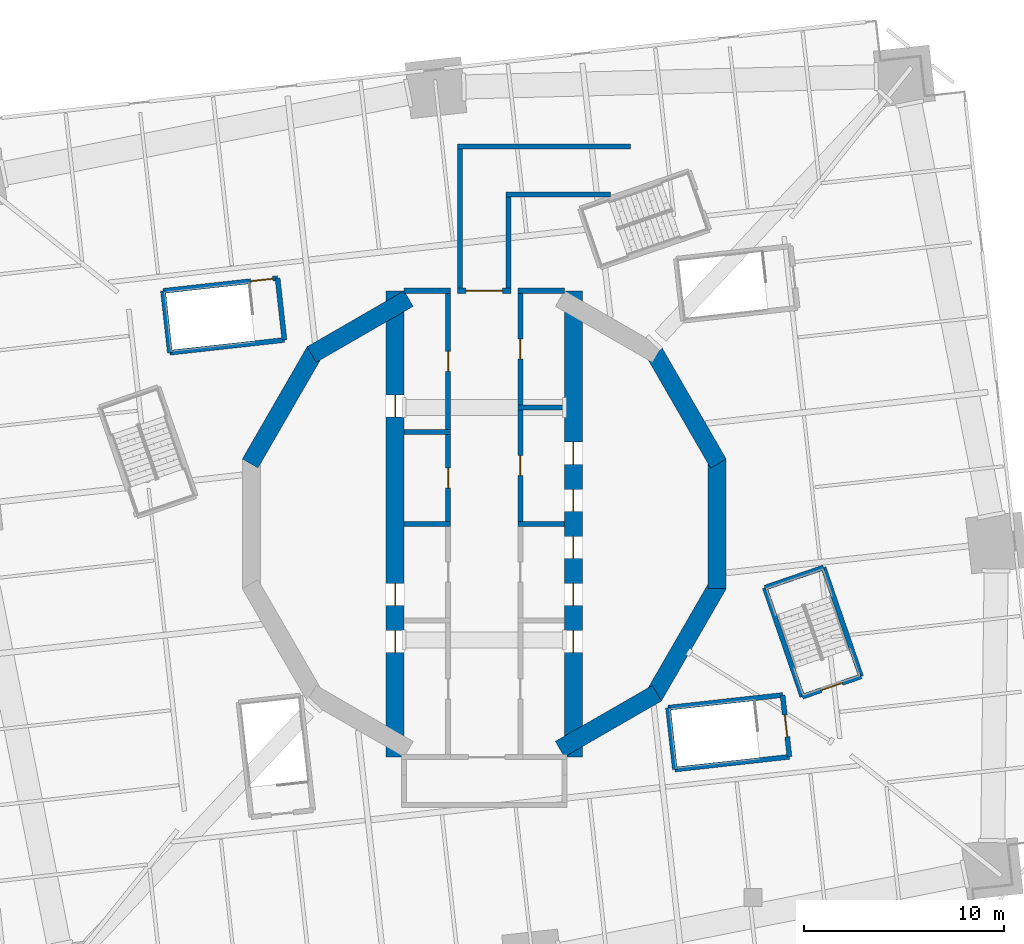
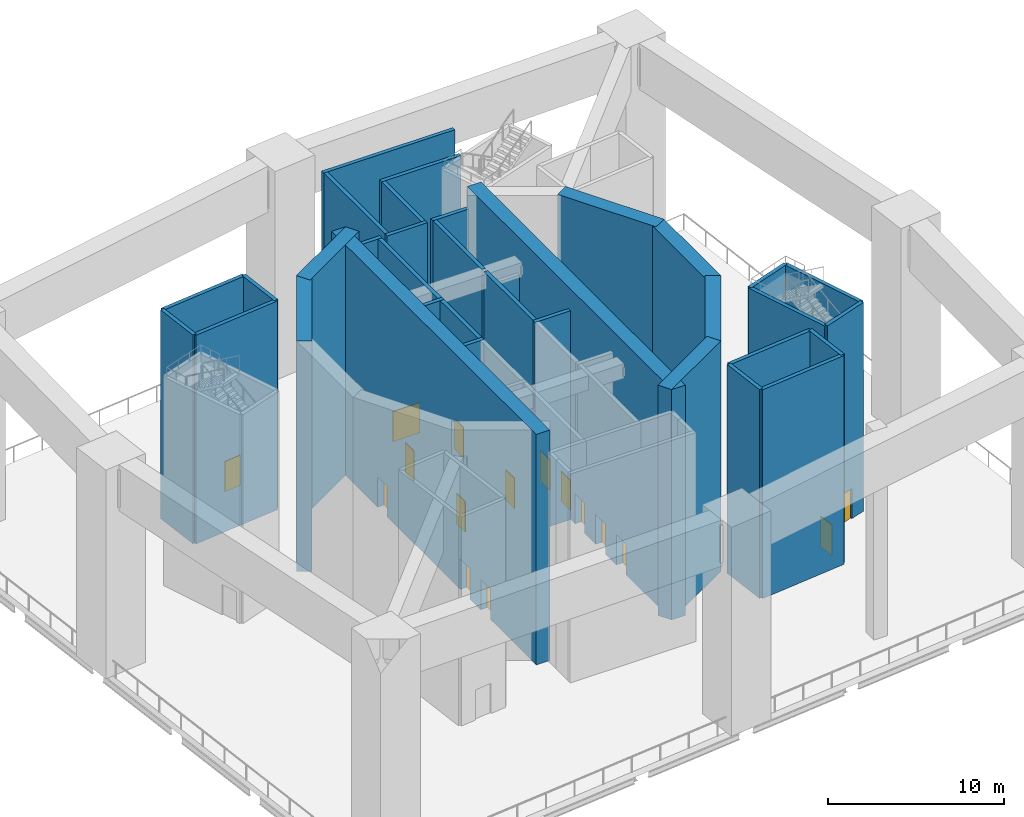
# One storey, part 4 of 13: 35 walls, 16 doors, 16 openings.
"""IFC4 building model written with IfcOpenShell, lengths in metres."""

from ifc_helpers import new_model, si_unit, direction, frame, frame_2d, origin, place, context, subcontext, project, spatial, rectangle, extrude, material, layer, layer_set, type_object, element, fill, save


model = new_model("IFC4")

# Units and contexts
model_context = context("Model", 3, precision=1e-05, world=origin(), true_north=direction((0.0, 1.0)))
body_context = subcontext(model_context, "Body", "Model", "MODEL_VIEW")
ifc_project = project(units=[si_unit("LENGTHUNIT", "METRE"), si_unit("AREAUNIT", "SQUARE_METRE"), si_unit("VOLUMEUNIT", "CUBIC_METRE"), si_unit("PLANEANGLEUNIT", "RADIAN"), si_unit("MASSUNIT", "GRAM", prefix="KILO")], contexts=[model_context])

# Site, building, storey
site_placement = place(None, origin())
site = spatial("IfcSite", under=ifc_project, at=site_placement, CompositionType="ELEMENT")
building_placement = place(site_placement, origin())
building = spatial("IfcBuilding", under=site, at=building_placement, Name="Cantera Rosa Tower", CompositionType="ELEMENT")
storey_placement = place(building_placement, frame((0.0, 0.0, 84.300048828125)))
storey = spatial("IfcBuildingStorey", under=building, at=storey_placement, Name="L18", CompositionType="ELEMENT", Elevation=84.300048828125)

# Walls
ifc_material_1 = material(Name="Masonry blockwork", Category="masonry")
ifc_layer_1 = layer(ifc_material_1, 0.25)
ifc_layer_set_1 = layer_set([ifc_layer_1], Name="Fire-rated external wall 250")
wall_type_1 = type_object("IfcWallType", Name="Fire-rated external wall 250", PredefinedType="PARTITIONING", material=ifc_layer_set_1)
wall_1_placement = place(storey_placement, frame((1.074951171875, 16.434814453125, 0.0), z_axis=(0.0, 0.0, 1.0), x_axis=(1.0, 0.0, 0.0)))
element("IfcWall", 1, at=wall_1_placement, inside=storey, type_object=wall_type_1, Name="Fire wall L18-26", PredefinedType="PARTITIONING", context=body_context, shape_type="SweptSolid", body=[
    extrude(rectangle(XDim=5.230712890625, YDim=0.25, at=frame_2d((2.615234375, 0.0))), origin(), (0.0, 0.0, 1.0), 14.5),
])
wall_2_placement = place(storey_placement, frame((1.199951171875, 11.758056640625, 0.0), z_axis=(0.0, 0.0, 1.0), x_axis=(0.0, 1.0, 0.0)))
element("IfcWall", 2, at=wall_2_placement, inside=storey, type_object=wall_type_1, Name="Fire wall L18-27", PredefinedType="PARTITIONING", context=body_context, shape_type="SweptSolid", body=[
    extrude(rectangle(XDim=4.5517578125, YDim=0.25, at=frame_2d((2.27587890625, 0.0))), origin(), (0.0, 0.0, 1.0), 14.5),
])
wall_3_placement = place(storey_placement, frame((-1.199951171875, 11.758056640625, 0.0), z_axis=(0.0, 0.0, 1.0), x_axis=(0.0, 1.0, 0.0)))
element("IfcWall", 3, at=wall_3_placement, inside=storey, type_object=wall_type_1, Name="Fire wall L18-28", PredefinedType="PARTITIONING", context=body_context, shape_type="SweptSolid", body=[
    extrude(rectangle(XDim=6.95166015625, YDim=0.25, at=frame_2d((3.475830078125, 0.0))), origin(), (0.0, 0.0, 1.0), 14.5),
])
wall_4_placement = place(storey_placement, frame((-1.324951171875, 18.834716796875, 0.0), z_axis=(0.0, 0.0, 1.0), x_axis=(1.0, 0.0, 0.0)))
element("IfcWall", 4, at=wall_4_placement, inside=storey, type_object=wall_type_1, Name="Fire wall L18-29", PredefinedType="PARTITIONING", context=body_context, shape_type="SweptSolid", body=[
    extrude(rectangle(XDim=8.611572265625, YDim=0.25, at=frame_2d((4.3056640625, 0.0))), origin(), (0.0, 0.0, 1.0), 14.5),
])

# Wall, opening, door
ifc_material_2 = material(Name="Masonry blockwork", Category="masonry")
ifc_layer_2 = layer(ifc_material_2, 0.25)
ifc_layer_set_2 = layer_set([ifc_layer_2], Name="Fire-rated wall 250")
wall_type_2 = type_object("IfcWallType", Name="Fire-rated wall 250", PredefinedType="PARTITIONING", material=ifc_layer_set_2)
wall_5_placement = place(storey_placement, frame((-1.800048828125, 0.125, 0.0), z_axis=(0.0, 0.0, 1.0), x_axis=(0.0, 1.0, 0.0)))
wall_5 = element("IfcWall", 5, at=wall_5_placement, inside=storey, type_object=wall_type_2, Name="Fire wall L18-3", PredefinedType="PARTITIONING", context=body_context, shape_type="SweptSolid", body=[
    extrude(rectangle(XDim=4.324951171875, YDim=0.25, at=frame_2d((2.16259765625, 0.0))), origin(), (0.0, 0.0, 1.0), 14.5),
])
opening_1_placement = place(wall_5_placement, frame((1.66259765625, 0.0, 0.0)))
opening_1 = element("IfcOpeningElement", 6, at=opening_1_placement, cuts=wall_5, Name="Opening L18-008", PredefinedType="OPENING", context=body_context, shape_type="SweptSolid", body=[
    extrude(rectangle(XDim=1.0, YDim=2.10009765625, at=frame_2d((0.5, 1.050048828125))), frame((0.0, 0.135009765625, 0.0), z_axis=(0.0, -1.0, 0.0), x_axis=(1.0, 0.0, 0.0)), (0.0, 0.0, 1.0), 0.27001953125),
])
ifc_material_3 = material(Name="Steel S355J2 (EN 10025-2)", Category="steel")
door_type_1 = type_object("IfcDoorType", Name="Fire door 1000x2100", OperationType="NOTDEFINED", PredefinedType="DOOR", material=ifc_material_3)
door_1_placement = place(opening_1_placement, origin())
door_1 = element("IfcDoor", 7, at=door_1_placement, inside=storey, type_object=door_type_1, Name="Door L18-008", OverallHeight=2.10009765625, OverallWidth=1.0, PredefinedType="DOOR", context=body_context, shape_type="SweptSolid", body=[
    extrude(rectangle(XDim=1.0, YDim=2.10009765625, at=frame_2d((0.5, 1.050048828125))), frame((0.0, 0.02490234375, 0.0), z_axis=(0.0, -1.0, 0.0), x_axis=(1.0, 0.0, 0.0)), (0.0, 0.0, 1.0), 0.050048828125),
])
fill(opening_1, door_1)

wall_6_placement = place(storey_placement, frame((-1.800048828125, 4.699951171875, 0.0), z_axis=(0.0, 0.0, 1.0), x_axis=(0.0, 1.0, 0.0)))
wall_6 = element("IfcWall", 8, at=wall_6_placement, inside=storey, type_object=wall_type_2, Name="Fire wall L18-4", PredefinedType="PARTITIONING", context=body_context, shape_type="SweptSolid", body=[
    extrude(rectangle(XDim=6.80810546875, YDim=0.25, at=frame_2d((3.404052734375, 0.0))), origin(), (0.0, 0.0, 1.0), 14.5),
])
opening_2_placement = place(wall_6_placement, frame((2.904052734375, 0.0, 0.0)))
opening_2 = element("IfcOpeningElement", 9, at=opening_2_placement, cuts=wall_6, Name="Opening L18-003", PredefinedType="OPENING", context=body_context, shape_type="SweptSolid", body=[
    extrude(rectangle(XDim=1.0, YDim=2.10009765625, at=frame_2d((0.5, 1.050048828125))), frame((0.0, 0.135009765625, 0.0), z_axis=(0.0, -1.0, 0.0), x_axis=(1.0, 0.0, 0.0)), (0.0, 0.0, 1.0), 0.27001953125),
])
door_2_placement = place(opening_2_placement, origin())
door_2 = element("IfcDoor", 10, at=door_2_placement, inside=storey, type_object=door_type_1, Name="Door L18-003", OverallHeight=2.10009765625, OverallWidth=1.0, PredefinedType="DOOR", context=body_context, shape_type="SweptSolid", body=[
    extrude(rectangle(XDim=1.0, YDim=2.10009765625, at=frame_2d((0.5, 1.050048828125))), frame((0.0, 0.02490234375, 0.0), z_axis=(0.0, -1.0, 0.0), x_axis=(1.0, 0.0, 0.0)), (0.0, 0.0, 1.0), 0.050048828125),
])
fill(opening_2, door_2)

# Walls
for number, where, z_axis, x_axis, name in (
    (11, (-4.0, 4.574951171875, 0.0), (0.0, 0.0, 1.0), (1.0, 0.0, 0.0), "Fire wall L18-5"),
    (12, (-4.0, 0.0, 0.0), (0.0, 0.0, 1.0), (1.0, 0.0, 0.0), "Fire wall L18-8"),
    (13, (1.675048828125, 0.0, 0.0), (0.0, 0.0, 1.0), (1.0, 0.0, 0.0), "Fire wall L18-9"),
    (14, (-4.0, 11.633056640625, 0.0), (0.0, 0.0, 1.0), (1.0, 0.0, 0.0), "Fire wall L18-12"),
):
    element("IfcWall", number, at=place(storey_placement, frame(where, z_axis=z_axis, x_axis=x_axis)), inside=storey, type_object=wall_type_2, Name=name, PredefinedType="PARTITIONING", context=body_context, shape_type="SweptSolid", body=[
        extrude(rectangle(XDim=2.324951171875, YDim=0.25, at=frame_2d((1.16259765625, 0.0))), origin(), (0.0, 0.0, 1.0), 14.5),
    ])

# Wall, opening, door
wall_7_placement = place(storey_placement, frame((-1.324951171875, 11.633056640625, 0.0), z_axis=(0.0, 0.0, 1.0), x_axis=(1.0, 0.0, 0.0)))
wall_7 = element("IfcWall", 15, at=wall_7_placement, inside=storey, type_object=wall_type_2, Name="Fire wall L18-13", PredefinedType="PARTITIONING", context=body_context, shape_type="SweptSolid", body=[
    extrude(rectangle(XDim=2.64990234375, YDim=0.25, at=frame_2d((1.324951171875, 0.0))), origin(), (0.0, 0.0, 1.0), 14.5),
])
opening_3_placement = place(wall_7_placement, frame((0.425048828125, 0.0, 0.0)))
opening_3 = element("IfcOpeningElement", 16, at=opening_3_placement, cuts=wall_7, Name="Opening L18-010", PredefinedType="OPENING", context=body_context, shape_type="SweptSolid", body=[
    extrude(rectangle(XDim=1.800048828125, YDim=2.10009765625, at=frame_2d((0.89990234375, 1.050048828125))), frame((0.0, 0.135009765625, 0.0), z_axis=(0.0, -1.0, 0.0), x_axis=(1.0, 0.0, 0.0)), (0.0, 0.0, 1.0), 0.27001953125),
])
ifc_material_4 = material(Name="Steel S355J2 (EN 10025-2)", Category="steel")
door_type_2 = type_object("IfcDoorType", Name="Fire double door 1800x2100", OperationType="NOTDEFINED", PredefinedType="DOOR", material=ifc_material_4)
door_3_placement = place(opening_3_placement, origin())
door_3 = element("IfcDoor", 17, at=door_3_placement, inside=storey, type_object=door_type_2, Name="Door L18-010", OperationType="DOUBLE_DOOR_SINGLE_SWING", OverallHeight=2.10009765625, OverallWidth=1.800048828125, PredefinedType="DOOR", context=body_context, shape_type="SweptSolid", body=[
    extrude(rectangle(XDim=1.800048828125, YDim=2.10009765625, at=frame_2d((0.89990234375, 1.050048828125))), frame((0.0, 0.02490234375, 0.0), z_axis=(0.0, -1.0, 0.0), x_axis=(1.0, 0.0, 0.0)), (0.0, 0.0, 1.0), 0.050048828125),
])
fill(opening_3, door_3)

# Wall
wall_8_placement = place(storey_placement, frame((1.675048828125, 11.633056640625, 0.0), z_axis=(0.0, 0.0, 1.0), x_axis=(1.0, 0.0, 0.0)))
element("IfcWall", 18, at=wall_8_placement, inside=storey, type_object=wall_type_2, Name="Fire wall L18-14", PredefinedType="PARTITIONING", context=body_context, shape_type="SweptSolid", body=[
    extrude(rectangle(XDim=2.324951171875, YDim=0.25, at=frame_2d((1.16259765625, 0.0))), origin(), (0.0, 0.0, 1.0), 14.5),
])

# Wall, opening, door
wall_9_placement = place(storey_placement, frame((1.800048828125, 0.125, 0.0), z_axis=(0.0, 0.0, 1.0), x_axis=(0.0, 1.0, 0.0)))
wall_9 = element("IfcWall", 19, at=wall_9_placement, inside=storey, type_object=wall_type_2, Name="Fire wall L18-17", PredefinedType="PARTITIONING", context=body_context, shape_type="SweptSolid", body=[
    extrude(rectangle(XDim=5.56640625, YDim=0.25, at=frame_2d((2.783203125, 0.0))), origin(), (0.0, 0.0, 1.0), 14.5),
])
opening_4_placement = place(wall_9_placement, frame((2.283203125, 0.0, 0.0)))
opening_4 = element("IfcOpeningElement", 20, at=opening_4_placement, cuts=wall_9, Name="Opening L18-006", PredefinedType="OPENING", context=body_context, shape_type="SweptSolid", body=[
    extrude(rectangle(XDim=1.0, YDim=2.10009765625, at=frame_2d((0.5, 1.050048828125))), frame((0.0, 0.135009765625, 0.0), z_axis=(0.0, -1.0, 0.0), x_axis=(1.0, 0.0, 0.0)), (0.0, 0.0, 1.0), 0.27001953125),
])
door_4_placement = place(opening_4_placement, origin())
door_4 = element("IfcDoor", 21, at=door_4_placement, inside=storey, type_object=door_type_1, Name="Door L18-006", OverallHeight=2.10009765625, OverallWidth=1.0, PredefinedType="DOOR", context=body_context, shape_type="SweptSolid", body=[
    extrude(rectangle(XDim=1.0, YDim=2.10009765625, at=frame_2d((0.5, 1.050048828125))), frame((0.0, 0.02490234375, 0.0), z_axis=(0.0, -1.0, 0.0), x_axis=(1.0, 0.0, 0.0)), (0.0, 0.0, 1.0), 0.050048828125),
])
fill(opening_4, door_4)

wall_10_placement = place(storey_placement, frame((1.800048828125, 5.94140625, 0.0), z_axis=(0.0, 0.0, 1.0), x_axis=(0.0, 1.0, 0.0)))
wall_10 = element("IfcWall", 22, at=wall_10_placement, inside=storey, type_object=wall_type_2, Name="Fire wall L18-18", PredefinedType="PARTITIONING", context=body_context, shape_type="SweptSolid", body=[
    extrude(rectangle(XDim=5.566650390625, YDim=0.25, at=frame_2d((2.783203125, 0.0))), origin(), (0.0, 0.0, 1.0), 14.5),
])
opening_5_placement = place(wall_10_placement, frame((2.283203125, 0.0, 0.0)))
opening_5 = element("IfcOpeningElement", 23, at=opening_5_placement, cuts=wall_10, Name="Opening L18-009", PredefinedType="OPENING", context=body_context, shape_type="SweptSolid", body=[
    extrude(rectangle(XDim=1.0, YDim=2.10009765625, at=frame_2d((0.5, 1.050048828125))), frame((0.0, 0.135009765625, 0.0), z_axis=(0.0, -1.0, 0.0), x_axis=(1.0, 0.0, 0.0)), (0.0, 0.0, 1.0), 0.27001953125),
])
door_5_placement = place(opening_5_placement, origin())
door_5 = element("IfcDoor", 24, at=door_5_placement, inside=storey, type_object=door_type_1, Name="Door L18-009", OverallHeight=2.10009765625, OverallWidth=1.0, PredefinedType="DOOR", context=body_context, shape_type="SweptSolid", body=[
    extrude(rectangle(XDim=1.0, YDim=2.10009765625, at=frame_2d((0.5, 1.050048828125))), frame((0.0, 0.02490234375, 0.0), z_axis=(0.0, -1.0, 0.0), x_axis=(1.0, 0.0, 0.0)), (0.0, 0.0, 1.0), 0.050048828125),
])
fill(opening_5, door_5)

# Walls
ifc_material_5 = material(Name="Masonry blockwork", Category="masonry")
ifc_layer_3 = layer(ifc_material_5, 0.25)
ifc_layer_set_3 = layer_set([ifc_layer_3], Name="Fire-rated wall 250 H13450")
wall_type_3 = type_object("IfcWallType", Name="Fire-rated wall 250 H13450", PredefinedType="PARTITIONING", material=ifc_layer_set_3)
wall_11_placement = place(storey_placement, frame((1.675048828125, 5.81640625, 0.0), z_axis=(0.0, 0.0, 1.0), x_axis=(1.0, 0.0, 0.0)))
element("IfcWall", 25, at=wall_11_placement, inside=storey, type_object=wall_type_3, Name="Fire wall L18-19", PredefinedType="PARTITIONING", context=body_context, shape_type="SweptSolid", body=[
    extrude(rectangle(XDim=2.324951171875, YDim=0.25, at=frame_2d((1.16259765625, 0.0))), origin(), (0.0, 0.0, 1.0), 13.449951171875),
])
ifc_material_6 = material(Name="Concrete C70/85", Category="concrete")
ifc_layer_4 = layer(ifc_material_6, 0.89990234375)
ifc_layer_set_4 = layer_set([ifc_layer_4], Name="RC CORE WALL 900 C70/85")
wall_type_4 = type_object("IfcWallType", Name="RC CORE WALL 900 C70/85", PredefinedType="SHEAR", material=ifc_layer_set_4)
wall_12_placement = place(storey_placement, frame((-11.684326171875, 3.01025390625, 0.0), z_axis=(0.0, 0.0, 1.0), x_axis=(0.499990282633, 0.866031014036, 0.0)))
element("IfcWall", 26, at=wall_12_placement, inside=storey, type_object=wall_type_4, Name="CW-W4 L18", PredefinedType="SHEAR", context=body_context, shape_type="SweptSolid", body=[
    extrude(rectangle(XDim=6.470458984375, YDim=0.89990234375, at=frame_2d((3.2353515625, 0.0))), origin(), (0.0, 0.0, 1.0), 16.0),
])
wall_13_placement = place(storey_placement, frame((-8.61376953125, 8.44921875, 0.0), z_axis=(0.0, 0.0, 1.0), x_axis=(0.866026961591, 0.49999730179, 0.0)))
element("IfcWall", 27, at=wall_13_placement, inside=storey, type_object=wall_type_4, Name="CW-W5 L18", PredefinedType="SHEAR", context=body_context, shape_type="SweptSolid", body=[
    extrude(rectangle(XDim=5.58740234375, YDim=0.89990234375, at=frame_2d((2.793701171875, 0.0))), origin(), (0.0, 0.0, 1.0), 16.0),
])

# Wall, openings, doors
wall_14_placement = place(storey_placement, frame((-4.449951171875, 11.632568359375, 0.0), z_axis=(0.0, 0.0, 1.0), x_axis=(0.0, -1.0, 0.0)))
wall_14 = element("IfcWall", 28, at=wall_14_placement, inside=storey, type_object=wall_type_4, Name="CW-W6 L18", PredefinedType="SHEAR", context=body_context, shape_type="SweptSolid", body=[
    extrude(rectangle(XDim=23.26513671875, YDim=0.89990234375, at=frame_2d((11.632568359375, 0.0))), origin(), (0.0, 0.0, 1.0), 16.0),
])
opening_6_placement = place(wall_14_placement, frame((14.607421875, 0.0, 0.0)))
opening_6 = element("IfcOpeningElement", 29, at=opening_6_placement, cuts=wall_14, Name="Opening LD-P3-L18", PredefinedType="OPENING", context=body_context, shape_type="SweptSolid", body=[
    extrude(rectangle(XDim=1.10009765625, YDim=2.10009765625, at=frame_2d((0.550048828125, 1.050048828125))), frame((0.0, 0.4599609375, 0.0), z_axis=(0.0, -1.0, 0.0), x_axis=(1.0, 0.0, 0.0)), (0.0, 0.0, 1.0), 0.919921875),
])
opening_7_placement = place(wall_14_placement, frame((16.95751953125, 0.0, 0.0)))
opening_7 = element("IfcOpeningElement", 30, at=opening_7_placement, cuts=wall_14, Name="Opening LD-P4-L18", PredefinedType="OPENING", context=body_context, shape_type="SweptSolid", body=[
    extrude(rectangle(XDim=1.10009765625, YDim=2.10009765625, at=frame_2d((0.550048828125, 1.050048828125))), frame((0.0, 0.4599609375, 0.0), z_axis=(0.0, -1.0, 0.0), x_axis=(1.0, 0.0, 0.0)), (0.0, 0.0, 1.0), 0.919921875),
])
opening_8_placement = place(wall_14_placement, frame((5.20751953125, 0.0, 0.0)))
opening_8 = element("IfcOpeningElement", 31, at=opening_8_placement, cuts=wall_14, Name="Opening LD-P5-L18", PredefinedType="OPENING", context=body_context, shape_type="SweptSolid", body=[
    extrude(rectangle(XDim=1.10009765625, YDim=2.10009765625, at=frame_2d((0.550048828125, 1.050048828125))), frame((0.0, 0.4599609375, 0.0), z_axis=(0.0, -1.0, 0.0), x_axis=(1.0, 0.0, 0.0)), (0.0, 0.0, 1.0), 0.919921875),
])
ifc_material_7 = material(Name="Steel S355J2 (EN 10025-2)", Category="steel")
door_type_3 = type_object("IfcDoorType", Name="LANDING DOOR 1100x2100", OperationType="NOTDEFINED", PredefinedType="DOOR", material=ifc_material_7)
door_6_placement = place(opening_6_placement, origin())
door_6 = element("IfcDoor", 32, at=door_6_placement, inside=storey, type_object=door_type_3, Name="LANDING DOOR P3 L18", OperationType="SLIDING_TO_LEFT", OverallHeight=2.10009765625, OverallWidth=1.10009765625, PredefinedType="DOOR", context=body_context, shape_type="SweptSolid", body=[
    extrude(rectangle(XDim=1.10009765625, YDim=2.10009765625, at=frame_2d((0.550048828125, 1.050048828125))), frame((0.0, 0.02490234375, 0.0), z_axis=(0.0, -1.0, 0.0), x_axis=(1.0, 0.0, 0.0)), (0.0, 0.0, 1.0), 0.050048828125),
])
fill(opening_6, door_6)
door_7_placement = place(opening_7_placement, origin())
door_7 = element("IfcDoor", 33, at=door_7_placement, inside=storey, type_object=door_type_3, Name="LANDING DOOR P4 L18", OperationType="SLIDING_TO_LEFT", OverallHeight=2.10009765625, OverallWidth=1.10009765625, PredefinedType="DOOR", context=body_context, shape_type="SweptSolid", body=[
    extrude(rectangle(XDim=1.10009765625, YDim=2.10009765625, at=frame_2d((0.550048828125, 1.050048828125))), frame((0.0, 0.02490234375, 0.0), z_axis=(0.0, -1.0, 0.0), x_axis=(1.0, 0.0, 0.0)), (0.0, 0.0, 1.0), 0.050048828125),
])
fill(opening_7, door_7)
door_8_placement = place(opening_8_placement, origin())
door_8 = element("IfcDoor", 34, at=door_8_placement, inside=storey, type_object=door_type_3, Name="LANDING DOOR P5 L18", OperationType="SLIDING_TO_LEFT", OverallHeight=2.10009765625, OverallWidth=1.10009765625, PredefinedType="DOOR", context=body_context, shape_type="SweptSolid", body=[
    extrude(rectangle(XDim=1.10009765625, YDim=2.10009765625, at=frame_2d((0.550048828125, 1.050048828125))), frame((0.0, 0.02490234375, 0.0), z_axis=(0.0, -1.0, 0.0), x_axis=(1.0, 0.0, 0.0)), (0.0, 0.0, 1.0), 0.050048828125),
])
fill(opening_8, door_8)

# Walls
wall_15_placement = place(storey_placement, frame((8.44921875, 8.61376953125, 0.0), z_axis=(0.0, 0.0, 1.0), x_axis=(0.499990282633, -0.866031014036, 0.0)))
element("IfcWall", 35, at=wall_15_placement, inside=storey, type_object=wall_type_4, Name="CW-E2 L18", PredefinedType="SHEAR", context=body_context, shape_type="SweptSolid", body=[
    extrude(rectangle(XDim=6.470458984375, YDim=0.89990234375, at=frame_2d((3.2353515625, 0.0))), origin(), (0.0, 0.0, 1.0), 16.0),
])
wall_16_placement = place(storey_placement, frame((11.6240234375, 3.2353515625, 0.0), z_axis=(0.0, 0.0, 1.0), x_axis=(0.0, -1.0, 0.0)))
element("IfcWall", 36, at=wall_16_placement, inside=storey, type_object=wall_type_4, Name="CW-E3 L18", PredefinedType="SHEAR", context=body_context, shape_type="SweptSolid", body=[
    extrude(rectangle(XDim=6.470703125, YDim=0.89990234375, at=frame_2d((3.2353515625, 0.0))), origin(), (0.0, 0.0, 1.0), 16.0),
])
wall_17_placement = place(storey_placement, frame((11.684326171875, -3.01025390625, 0.0), z_axis=(0.0, 0.0, 1.0), x_axis=(-0.499990282633, -0.866031014036, 0.0)))
element("IfcWall", 37, at=wall_17_placement, inside=storey, type_object=wall_type_4, Name="CW-E4 L18", PredefinedType="SHEAR", context=body_context, shape_type="SweptSolid", body=[
    extrude(rectangle(XDim=6.470458984375, YDim=0.89990234375, at=frame_2d((3.2353515625, 0.0))), origin(), (0.0, 0.0, 1.0), 16.0),
])
wall_18_placement = place(storey_placement, frame((8.61376953125, -8.44921875, 0.0), z_axis=(0.0, 0.0, 1.0), x_axis=(-0.866026961591, -0.49999730179, 0.0)))
element("IfcWall", 38, at=wall_18_placement, inside=storey, type_object=wall_type_4, Name="CW-E5 L18", PredefinedType="SHEAR", context=body_context, shape_type="SweptSolid", body=[
    extrude(rectangle(XDim=5.58740234375, YDim=0.89990234375, at=frame_2d((2.793701171875, 0.0))), origin(), (0.0, 0.0, 1.0), 16.0),
])

# Wall, openings, doors
wall_19_placement = place(storey_placement, frame((4.449951171875, -11.632568359375, 0.0), z_axis=(0.0, 0.0, 1.0), x_axis=(0.0, 1.0, 0.0)))
wall_19 = element("IfcWall", 39, at=wall_19_placement, inside=storey, type_object=wall_type_4, Name="CW-E6 L18", PredefinedType="SHEAR", context=body_context, shape_type="SweptSolid", body=[
    extrude(rectangle(XDim=23.26513671875, YDim=0.89990234375, at=frame_2d((11.632568359375, 0.0))), origin(), (0.0, 0.0, 1.0), 16.0),
])
opening_9_placement = place(wall_19_placement, frame((7.5576171875, 0.0, 0.0)))
opening_9 = element("IfcOpeningElement", 40, at=opening_9_placement, cuts=wall_19, Name="Opening LD-FF1-L18", PredefinedType="OPENING", context=body_context, shape_type="SweptSolid", body=[
    extrude(rectangle(XDim=1.10009765625, YDim=2.10009765625, at=frame_2d((0.550048828125, 1.050048828125))), frame((0.0, 0.4599609375, 0.0), z_axis=(0.0, -1.0, 0.0), x_axis=(1.0, 0.0, 0.0)), (0.0, 0.0, 1.0), 0.919921875),
])
opening_10_placement = place(wall_19_placement, frame((9.907470703125, 0.0, 0.0)))
opening_10 = element("IfcOpeningElement", 41, at=opening_10_placement, cuts=wall_19, Name="Opening LD-FF2-L18", PredefinedType="OPENING", context=body_context, shape_type="SweptSolid", body=[
    extrude(rectangle(XDim=1.10009765625, YDim=2.10009765625, at=frame_2d((0.550048828125, 1.050048828125))), frame((0.0, 0.4599609375, 0.0), z_axis=(0.0, -1.0, 0.0), x_axis=(1.0, 0.0, 0.0)), (0.0, 0.0, 1.0), 0.919921875),
])
opening_11_placement = place(wall_19_placement, frame((12.257568359375, 0.0, 0.0)))
opening_11 = element("IfcOpeningElement", 42, at=opening_11_placement, cuts=wall_19, Name="Opening LD-P1-L18", PredefinedType="OPENING", context=body_context, shape_type="SweptSolid", body=[
    extrude(rectangle(XDim=1.10009765625, YDim=2.10009765625, at=frame_2d((0.550048828125, 1.050048828125))), frame((0.0, 0.4599609375, 0.0), z_axis=(0.0, -1.0, 0.0), x_axis=(1.0, 0.0, 0.0)), (0.0, 0.0, 1.0), 0.919921875),
])
opening_12_placement = place(wall_19_placement, frame((14.607421875, 0.0, 0.0)))
opening_12 = element("IfcOpeningElement", 43, at=opening_12_placement, cuts=wall_19, Name="Opening LD-P2-L18", PredefinedType="OPENING", context=body_context, shape_type="SweptSolid", body=[
    extrude(rectangle(XDim=1.10009765625, YDim=2.10009765625, at=frame_2d((0.550048828125, 1.050048828125))), frame((0.0, 0.4599609375, 0.0), z_axis=(0.0, -1.0, 0.0), x_axis=(1.0, 0.0, 0.0)), (0.0, 0.0, 1.0), 0.919921875),
])
opening_13_placement = place(wall_19_placement, frame((5.20751953125, 0.0, 0.0)))
opening_13 = element("IfcOpeningElement", 44, at=opening_13_placement, cuts=wall_19, Name="Opening LD-P6-L18", PredefinedType="OPENING", context=body_context, shape_type="SweptSolid", body=[
    extrude(rectangle(XDim=1.10009765625, YDim=2.10009765625, at=frame_2d((0.550048828125, 1.050048828125))), frame((0.0, 0.4599609375, 0.0), z_axis=(0.0, -1.0, 0.0), x_axis=(1.0, 0.0, 0.0)), (0.0, 0.0, 1.0), 0.919921875),
])
door_9_placement = place(opening_9_placement, origin())
door_9 = element("IfcDoor", 45, at=door_9_placement, inside=storey, type_object=door_type_3, Name="LANDING DOOR FF1 L18", OperationType="SLIDING_TO_LEFT", OverallHeight=2.10009765625, OverallWidth=1.10009765625, PredefinedType="DOOR", context=body_context, shape_type="SweptSolid", body=[
    extrude(rectangle(XDim=1.10009765625, YDim=2.10009765625, at=frame_2d((0.550048828125, 1.050048828125))), frame((0.0, 0.02490234375, 0.0), z_axis=(0.0, -1.0, 0.0), x_axis=(1.0, 0.0, 0.0)), (0.0, 0.0, 1.0), 0.050048828125),
])
fill(opening_9, door_9)
door_10_placement = place(opening_10_placement, origin())
door_10 = element("IfcDoor", 46, at=door_10_placement, inside=storey, type_object=door_type_3, Name="LANDING DOOR FF2 L18", OperationType="SLIDING_TO_LEFT", OverallHeight=2.10009765625, OverallWidth=1.10009765625, PredefinedType="DOOR", context=body_context, shape_type="SweptSolid", body=[
    extrude(rectangle(XDim=1.10009765625, YDim=2.10009765625, at=frame_2d((0.550048828125, 1.050048828125))), frame((0.0, 0.02490234375, 0.0), z_axis=(0.0, -1.0, 0.0), x_axis=(1.0, 0.0, 0.0)), (0.0, 0.0, 1.0), 0.050048828125),
])
fill(opening_10, door_10)
door_11_placement = place(opening_11_placement, origin())
door_11 = element("IfcDoor", 47, at=door_11_placement, inside=storey, type_object=door_type_3, Name="LANDING DOOR P1 L18", OperationType="SLIDING_TO_LEFT", OverallHeight=2.10009765625, OverallWidth=1.10009765625, PredefinedType="DOOR", context=body_context, shape_type="SweptSolid", body=[
    extrude(rectangle(XDim=1.10009765625, YDim=2.10009765625, at=frame_2d((0.550048828125, 1.050048828125))), frame((0.0, 0.02490234375, 0.0), z_axis=(0.0, -1.0, 0.0), x_axis=(1.0, 0.0, 0.0)), (0.0, 0.0, 1.0), 0.050048828125),
])
fill(opening_11, door_11)
door_12_placement = place(opening_12_placement, origin())
door_12 = element("IfcDoor", 48, at=door_12_placement, inside=storey, type_object=door_type_3, Name="LANDING DOOR P2 L18", OperationType="SLIDING_TO_LEFT", OverallHeight=2.10009765625, OverallWidth=1.10009765625, PredefinedType="DOOR", context=body_context, shape_type="SweptSolid", body=[
    extrude(rectangle(XDim=1.10009765625, YDim=2.10009765625, at=frame_2d((0.550048828125, 1.050048828125))), frame((0.0, 0.02490234375, 0.0), z_axis=(0.0, -1.0, 0.0), x_axis=(1.0, 0.0, 0.0)), (0.0, 0.0, 1.0), 0.050048828125),
])
fill(opening_12, door_12)
door_13_placement = place(opening_13_placement, origin())
door_13 = element("IfcDoor", 49, at=door_13_placement, inside=storey, type_object=door_type_3, Name="LANDING DOOR P6 L18", OperationType="SLIDING_TO_LEFT", OverallHeight=2.10009765625, OverallWidth=1.10009765625, PredefinedType="DOOR", context=body_context, shape_type="SweptSolid", body=[
    extrude(rectangle(XDim=1.10009765625, YDim=2.10009765625, at=frame_2d((0.550048828125, 1.050048828125))), frame((0.0, 0.02490234375, 0.0), z_axis=(0.0, -1.0, 0.0), x_axis=(1.0, 0.0, 0.0)), (0.0, 0.0, 1.0), 0.050048828125),
])
fill(opening_13, door_13)

# Wall, opening, door
ifc_material_8 = material(Name="Concrete C50/60", Category="concrete")
ifc_layer_5 = layer(ifc_material_8, 0.25)
ifc_layer_set_5 = layer_set([ifc_layer_5], Name="RC stair wall 250 C50/60")
wall_type_5 = type_object("IfcWallType", Name="RC stair wall 250", PredefinedType="SOLIDWALL", material=ifc_layer_set_5)
wall_20_placement = place(storey_placement, frame((18.801513671875, -7.61376953125, 0.0), z_axis=(0.0, 0.0, 1.0), x_axis=(-0.945510162329, -0.325592587344, 0.0)))
wall_20 = element("IfcWall", 50, at=wall_20_placement, inside=storey, type_object=wall_type_5, Name="STAIR WALL ST-23 L18-11", PredefinedType="SOLIDWALL", context=body_context, shape_type="SweptSolid", body=[
    extrude(rectangle(XDim=3.099853515625, YDim=0.25, at=frame_2d((1.5498046875, 0.0))), origin(), (0.0, 0.0, 1.0), 14.5),
])
opening_14_placement = place(wall_20_placement, frame((1.0, 0.0, 0.0)))
opening_14 = element("IfcOpeningElement", 51, at=opening_14_placement, cuts=wall_20, Name="Opening L18-ST-23", PredefinedType="OPENING", context=body_context, shape_type="SweptSolid", body=[
    extrude(rectangle(XDim=1.10009765625, YDim=2.10009765625, at=frame_2d((0.550048828125, 1.050048828125))), frame((0.0, 0.135009765625, 0.0), z_axis=(0.0, -1.0, 0.0), x_axis=(1.0, 0.0, 0.0)), (0.0, 0.0, 1.0), 0.27001953125),
])
ifc_material_9 = material(Name="Steel S355J2 (EN 10025-2)", Category="steel")
door_type_4 = type_object("IfcDoorType", Name="STAIR DOOR 1100x2100", OperationType="NOTDEFINED", PredefinedType="DOOR", material=ifc_material_9)
door_14_placement = place(opening_14_placement, origin())
door_14 = element("IfcDoor", 52, at=door_14_placement, inside=storey, type_object=door_type_4, Name="DOOR L18-ST-23", OperationType="NOTDEFINED", OverallHeight=2.10009765625, OverallWidth=1.10009765625, PredefinedType="DOOR", context=body_context, shape_type="SweptSolid", body=[
    extrude(rectangle(XDim=1.10009765625, YDim=2.10009765625, at=frame_2d((0.550048828125, 1.050048828125))), frame((0.0, 0.02490234375, 0.0), z_axis=(0.0, -1.0, 0.0), x_axis=(1.0, 0.0, 0.0)), (0.0, 0.0, 1.0), 0.050048828125),
])
fill(opening_14, door_14)

# Walls
wall_21_placement = place(storey_placement, frame((15.87060546875, -8.623046875, 0.0), z_axis=(0.0, 0.0, 1.0), x_axis=(-0.325612503367, 0.945503303882, 0.0)))
element("IfcWall", 53, at=wall_21_placement, inside=storey, type_object=wall_type_5, Name="STAIR WALL ST-23 L18-21", PredefinedType="SOLIDWALL", context=body_context, shape_type="SweptSolid", body=[
    extrude(rectangle(XDim=5.750244140625, YDim=0.25, at=frame_2d((2.875, 0.0))), origin(), (0.0, 0.0, 1.0), 14.5),
])
wall_22_placement = place(storey_placement, frame((13.998291015625, -3.186279296875, 0.0), z_axis=(0.0, 0.0, 1.0), x_axis=(0.945518510753, 0.325568342783, 0.0)))
element("IfcWall", 54, at=wall_22_placement, inside=storey, type_object=wall_type_5, Name="STAIR WALL ST-23 L18-31", PredefinedType="SOLIDWALL", context=body_context, shape_type="SweptSolid", body=[
    extrude(rectangle(XDim=3.10009765625, YDim=0.25, at=frame_2d((1.550048828125, 0.0))), origin(), (0.0, 0.0, 1.0), 14.5),
])
wall_23_placement = place(storey_placement, frame((16.929443359375, -2.177001953125, 0.0), z_axis=(0.0, 0.0, 1.0), x_axis=(0.32557454588, -0.945516374832, 0.0)))
element("IfcWall", 55, at=wall_23_placement, inside=storey, type_object=wall_type_5, Name="STAIR WALL ST-23 L18-41", PredefinedType="SOLIDWALL", context=body_context, shape_type="SweptSolid", body=[
    extrude(rectangle(XDim=5.75, YDim=0.25, at=frame_2d((2.875, 0.0))), origin(), (0.0, 0.0, 1.0), 14.5),
])
wall_24_placement = place(storey_placement, frame((-10.3134765625, 12.2578125, 0.0), z_axis=(0.0, 0.0, 1.0), x_axis=(0.110250015062, -0.993903885785, 0.0)))
element("IfcWall", 56, at=wall_24_placement, inside=storey, type_object=wall_type_5, Name="STAIR WALL ST-12 L18-11", PredefinedType="SOLIDWALL", context=body_context, shape_type="SweptSolid", body=[
    extrude(rectangle(XDim=3.10009765625, YDim=0.25, at=frame_2d((1.550048828125, 0.0))), origin(), (0.0, 0.0, 1.0), 14.5),
])
wall_25_placement = place(storey_placement, frame((-9.9716796875, 9.176513671875, 0.0), z_axis=(0.0, 0.0, 1.0), x_axis=(-0.993897190127, -0.110310359704, 0.0)))
element("IfcWall", 57, at=wall_25_placement, inside=storey, type_object=wall_type_5, Name="STAIR WALL ST-12 L18-21", PredefinedType="SOLIDWALL", context=body_context, shape_type="SweptSolid", body=[
    extrude(rectangle(XDim=5.75, YDim=0.25, at=frame_2d((2.875, 0.0))), origin(), (0.0, 0.0, 1.0), 14.5),
])
wall_26_placement = place(storey_placement, frame((-15.6865234375, 8.542236328125, 0.0), z_axis=(0.0, 0.0, 1.0), x_axis=(-0.110258644996, 0.993902928461, 0.0)))
element("IfcWall", 58, at=wall_26_placement, inside=storey, type_object=wall_type_5, Name="STAIR WALL ST-12 L18-31", PredefinedType="SOLIDWALL", context=body_context, shape_type="SweptSolid", body=[
    extrude(rectangle(XDim=3.099853515625, YDim=0.25, at=frame_2d((1.5498046875, 0.0))), origin(), (0.0, 0.0, 1.0), 14.5),
])

# Wall, opening, door
wall_27_placement = place(storey_placement, frame((-16.0283203125, 11.623291015625, 0.0), z_axis=(0.0, 0.0, 1.0), x_axis=(0.9938925341, 0.110352302466, 0.0)))
wall_27 = element("IfcWall", 59, at=wall_27_placement, inside=storey, type_object=wall_type_5, Name="STAIR WALL ST-12 L18-41", PredefinedType="SOLIDWALL", context=body_context, shape_type="SweptSolid", body=[
    extrude(rectangle(XDim=5.75, YDim=0.25, at=frame_2d((2.875, 0.0))), origin(), (0.0, 0.0, 1.0), 14.5),
])
opening_15_placement = place(wall_27_placement, frame((4.39990234375, 0.0, 0.0)))
opening_15 = element("IfcOpeningElement", 60, at=opening_15_placement, cuts=wall_27, Name="Opening L18-ST-12", PredefinedType="OPENING", context=body_context, shape_type="SweptSolid", body=[
    extrude(rectangle(XDim=1.10009765625, YDim=2.10009765625, at=frame_2d((0.550048828125, 1.050048828125))), frame((0.0, 0.135009765625, 0.0), z_axis=(0.0, -1.0, 0.0), x_axis=(1.0, 0.0, 0.0)), (0.0, 0.0, 1.0), 0.27001953125),
])
door_15_placement = place(opening_15_placement, origin())
door_15 = element("IfcDoor", 61, at=door_15_placement, inside=storey, type_object=door_type_4, Name="DOOR L18-ST-12", OperationType="NOTDEFINED", OverallHeight=2.10009765625, OverallWidth=1.10009765625, PredefinedType="DOOR", context=body_context, shape_type="SweptSolid", body=[
    extrude(rectangle(XDim=1.10009765625, YDim=2.10009765625, at=frame_2d((0.550048828125, 1.050048828125))), frame((0.0, 0.02490234375, 0.0), z_axis=(0.0, -1.0, 0.0), x_axis=(1.0, 0.0, 0.0)), (0.0, 0.0, 1.0), 0.050048828125),
])
fill(opening_15, door_15)

wall_28_placement = place(storey_placement, frame((14.886474609375, -8.542236328125, 0.0), z_axis=(0.0, 0.0, 1.0), x_axis=(0.110336442721, -0.993894294886, 0.0)))
wall_28 = element("IfcWall", 62, at=wall_28_placement, inside=storey, type_object=wall_type_5, Name="STAIR WALL ST-14 L18-11", PredefinedType="SOLIDWALL", context=body_context, shape_type="SweptSolid", body=[
    extrude(rectangle(XDim=3.10009765625, YDim=0.25, at=frame_2d((1.550048828125, 0.0))), origin(), (0.0, 0.0, 1.0), 14.5),
])
opening_16_placement = place(wall_28_placement, frame((1.0, 0.0, 0.0)))
opening_16 = element("IfcOpeningElement", 63, at=opening_16_placement, cuts=wall_28, Name="Opening L18-ST-14", PredefinedType="OPENING", context=body_context, shape_type="SweptSolid", body=[
    extrude(rectangle(XDim=1.10009765625, YDim=2.10009765625, at=frame_2d((0.550048828125, 1.050048828125))), frame((0.0, 0.135009765625, 0.0), z_axis=(0.0, -1.0, 0.0), x_axis=(1.0, 0.0, 0.0)), (0.0, 0.0, 1.0), 0.27001953125),
])
door_16_placement = place(opening_16_placement, origin())
door_16 = element("IfcDoor", 64, at=door_16_placement, inside=storey, type_object=door_type_4, Name="DOOR L18-ST-14", OperationType="NOTDEFINED", OverallHeight=2.10009765625, OverallWidth=1.10009765625, PredefinedType="DOOR", context=body_context, shape_type="SweptSolid", body=[
    extrude(rectangle(XDim=1.10009765625, YDim=2.10009765625, at=frame_2d((0.550048828125, 1.050048828125))), frame((0.0, 0.02490234375, 0.0), z_axis=(0.0, -1.0, 0.0), x_axis=(1.0, 0.0, 0.0)), (0.0, 0.0, 1.0), 0.050048828125),
])
fill(opening_16, door_16)

# Walls
wall_29_placement = place(storey_placement, frame((15.228515625, -11.623291015625, 0.0), z_axis=(0.0, 0.0, 1.0), x_axis=(-0.993893051124, -0.110347645772, 0.0)))
element("IfcWall", 65, at=wall_29_placement, inside=storey, type_object=wall_type_5, Name="STAIR WALL ST-14 L18-21", PredefinedType="SOLIDWALL", context=body_context, shape_type="SweptSolid", body=[
    extrude(rectangle(XDim=5.750244140625, YDim=0.25, at=frame_2d((2.875, 0.0))), origin(), (0.0, 0.0, 1.0), 14.5),
])
wall_30_placement = place(storey_placement, frame((9.513427734375, -12.2578125, 0.0), z_axis=(0.0, 0.0, 1.0), x_axis=(-0.110250015062, 0.993903885785, 0.0)))
element("IfcWall", 66, at=wall_30_placement, inside=storey, type_object=wall_type_5, Name="STAIR WALL ST-14 L18-31", PredefinedType="SOLIDWALL", context=body_context, shape_type="SweptSolid", body=[
    extrude(rectangle(XDim=3.10009765625, YDim=0.25, at=frame_2d((1.550048828125, 0.0))), origin(), (0.0, 0.0, 1.0), 14.5),
])
wall_31_placement = place(storey_placement, frame((9.171630859375, -9.176513671875, 0.0), z_axis=(0.0, 0.0, 1.0), x_axis=(0.993897190127, 0.110310359704, 0.0)))
element("IfcWall", 67, at=wall_31_placement, inside=storey, type_object=wall_type_5, Name="STAIR WALL ST-14 L18-41", PredefinedType="SOLIDWALL", context=body_context, shape_type="SweptSolid", body=[
    extrude(rectangle(XDim=5.75, YDim=0.25, at=frame_2d((2.875, 0.0))), origin(), (0.0, 0.0, 1.0), 14.5),
])

save(model, "model.ifc")
